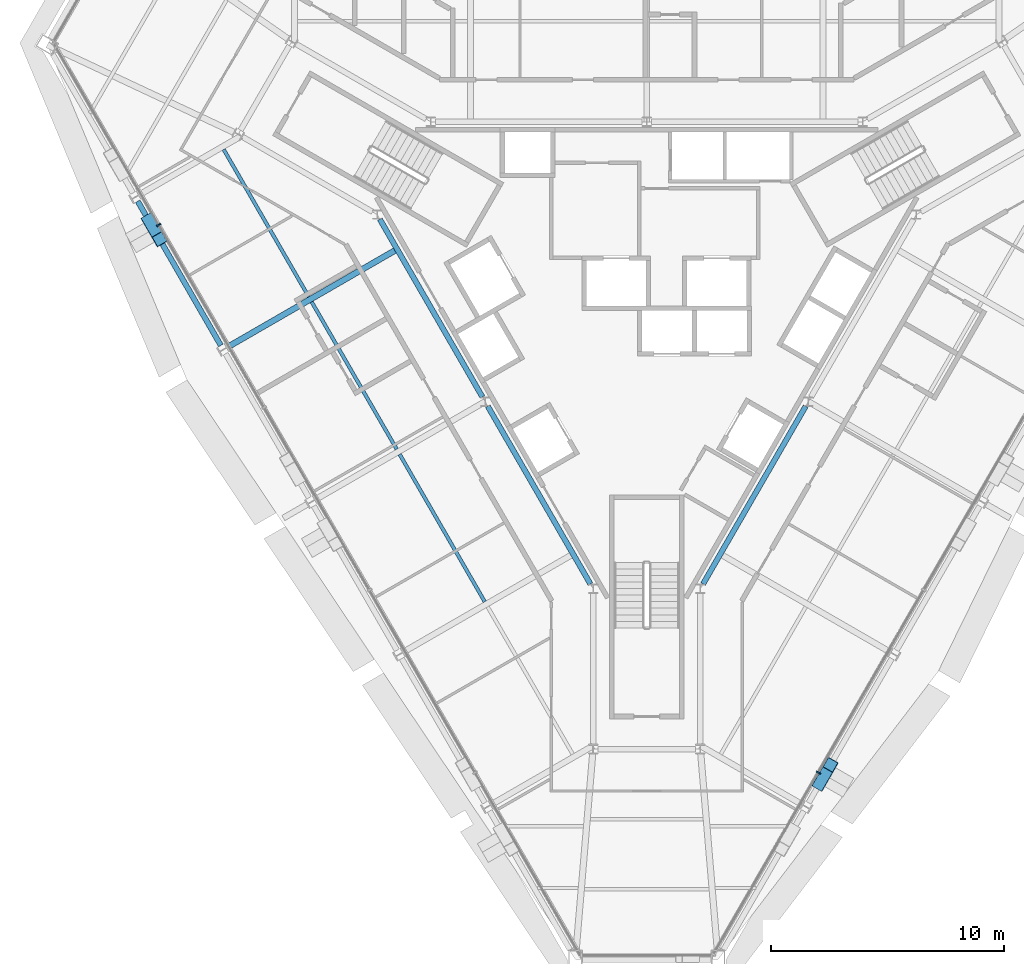
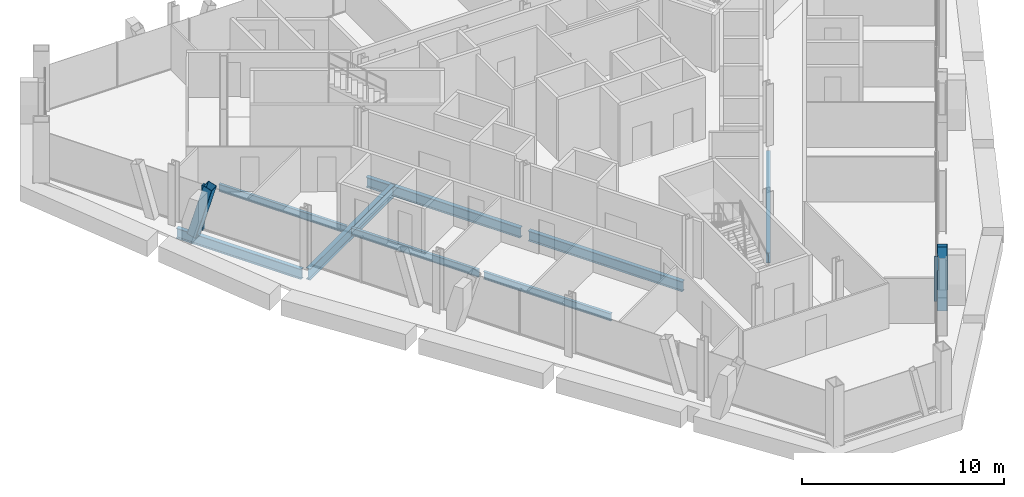
# One storey, part 3 of 13: 8 beams, 4 members, 2 elements without a shape of their own.
"""IFC4 building model written with IfcOpenShell, lengths in metres."""

from ifc_helpers import new_model, si_unit, direction, frame, origin, origin_2d, place, context, subcontext, project, spatial, rectangle, hollow_rectangle, i_section, extrude, material, material_profile, profile_set, type_object, element, aggregate, save


model = new_model("IFC4")

# Units and contexts
model_context = context("Model", 3, precision=1e-05, world=origin(), true_north=direction((0.0, 1.0)))
body_context = subcontext(model_context, "Body", "Model", "MODEL_VIEW")
ifc_project = project(units=[si_unit("LENGTHUNIT", "METRE"), si_unit("AREAUNIT", "SQUARE_METRE"), si_unit("VOLUMEUNIT", "CUBIC_METRE"), si_unit("PLANEANGLEUNIT", "RADIAN"), si_unit("MASSUNIT", "GRAM", prefix="KILO")], contexts=[model_context])

# Site, building, storey
site_placement = place(None, origin())
site = spatial("IfcSite", under=ifc_project, at=site_placement, CompositionType="ELEMENT")
building_placement = place(site_placement, origin())
building = spatial("IfcBuilding", under=site, at=building_placement, Name="Verrane Prism Tower", CompositionType="ELEMENT")
storey_placement = place(building_placement, frame((0.0, 0.0, 152.5)))
storey = spatial("IfcBuildingStorey", under=building, at=storey_placement, Name="L37", CompositionType="ELEMENT", Elevation=152.5)

# Beams
ifc_material_1 = material(Name="Steel A992", Category="steel")
ifc_material_profile_1 = material_profile(ifc_material_1, i_section(OverallWidth=0.23046875, OverallDepth=0.6171875, WebThickness=0.01318359375, FlangeThickness=0.022216796875, FilletRadius=0.012939453125, at=origin_2d()), Name="W24x94")
ifc_profile_set_1 = profile_set([ifc_material_profile_1], Name="Steel A992")
beam_type_1 = type_object("IfcBeamType", Name="Core ring girder W24x94", PredefinedType="BEAM", material=ifc_profile_set_1)
beam_1_placement = place(storey_placement, frame((-11.44482421875, 3.820556640625, -0.55859375), z_axis=(0.499967414725, -0.866044216084, 0.0), x_axis=(0.866044216084, 0.499967414725, 0.0)))
element("IfcBeam", 1, at=beam_1_placement, inside=storey, type_object=beam_type_1, Name="Core ring girder L37", PredefinedType="BEAM", context=body_context, shape_type="SweptSolid", body=[
    extrude(i_section(OverallWidth=0.23046875, OverallDepth=0.6171875, WebThickness=0.01318359375, FlangeThickness=0.022216796875, FilletRadius=0.012939453125, at=origin_2d()), origin(), (0.0, 0.0, 1.0), 8.7998046875),
])
for number, where, z_axis, x_axis, name in (
    (2, (-6.81494140625, -4.199462890625, -0.55859375), (0.499988222896, -0.866032203192, 0.0), (0.866032203192, 0.499988222896, 0.0), "Core ring girder L37"),
    (3, (2.4150390625, -11.820556640625, -0.55859375), (0.499988222896, 0.866032203192, 0.0), (-0.866032203192, 0.499988222896, 0.0), "Core ring girder L37"),
):
    element("IfcBeam", number, at=place(storey_placement, frame(where, z_axis=z_axis, x_axis=x_axis)), inside=storey, type_object=beam_type_1, Name=name, PredefinedType="BEAM", context=body_context, shape_type="SweptSolid", body=[
        extrude(i_section(OverallWidth=0.23046875, OverallDepth=0.6171875, WebThickness=0.01318359375, FlangeThickness=0.022216796875, FilletRadius=0.012939453125, at=origin_2d()), origin(), (0.0, 0.0, 1.0), 8.800048828125),
    ])

# Members
ifc_material_2 = material(Name="Steel A500 Grade C", Category="steel")
ifc_material_profile_2 = material_profile(ifc_material_2, hollow_rectangle(XDim=0.508056640625, YDim=0.508056640625, WallThickness=0.01904296875, InnerFilletRadius=0.009521484375, OuterFilletRadius=0.028564453125, at=origin_2d()), Name="HSS20x20x3/4")
ifc_profile_set_2 = profile_set([ifc_material_profile_2], Name="Steel A500 Grade C")
member_type_1 = type_object("IfcMemberType", Name="Facade brace HSS20x20x3/4", PredefinedType="BRACE", material=ifc_profile_set_2)
for number, where, z_axis, x_axis, name in (
    (4, (-21.354736328125, 3.772216796875, -0.216796875), (0.139768627074, -0.242431836886, 0.960047673478), (0.866333877494, 0.499465326831, 0.0), "Facade brace SW1 L37"),
    (5, (7.415283203125, -20.382080078125, -0.216796875), (0.139768627074, 0.242431836886, 0.960047673478), (-0.866333877494, 0.499465326831, 0.0), "Facade brace SE1 L37"),
):
    element("IfcMember", number, at=place(storey_placement, frame(where, z_axis=z_axis, x_axis=x_axis)), inside=storey, type_object=member_type_1, Name=name, PredefinedType="BRACE", context=body_context, shape_type="SweptSolid", body=[
        extrude(hollow_rectangle(XDim=0.508056640625, YDim=0.508056640625, WallThickness=0.01904296875, InnerFilletRadius=0.009521484375, OuterFilletRadius=0.028564453125, at=origin_2d()), origin(), (0.0, 0.0, 1.0), 3.329345703125),
    ])

# Beams
ifc_material_3 = material(Name="Steel A992", Category="steel")
ifc_material_profile_3 = material_profile(ifc_material_3, i_section(OverallWidth=0.15234375, OverallDepth=0.449462890625, WebThickness=0.007568359375, FlangeThickness=0.0107421875, FilletRadius=0.01025390625, at=origin_2d()), Name="W18x35")
ifc_profile_set_3 = profile_set([ifc_material_profile_3], Name="Steel A992")
beam_type_2 = type_object("IfcBeamType", Name="Floor beam W18x35", PredefinedType="BEAM", material=ifc_profile_set_3)
beam_2_placement = place(storey_placement, frame((-14.493408203125, 0.4951171875, -0.384765625), z_axis=(-0.50001111627, 0.866018985708, 0.0), x_axis=(-0.866018985708, -0.50001111627, 0.0)))
element("IfcBeam", 6, at=beam_2_placement, inside=storey, type_object=beam_type_2, Name="Floor beam L37", PredefinedType="BEAM", context=body_context, shape_type="SweptSolid", body=[
    extrude(i_section(OverallWidth=0.15234375, OverallDepth=0.449462890625, WebThickness=0.007568359375, FlangeThickness=0.0107421875, FilletRadius=0.01025390625, at=origin_2d()), origin(), (0.0, 0.0, 1.0), 7.296630859375),
])
beam_3_placement = place(storey_placement, frame((-10.719970703125, -6.041015625, -0.384765625), z_axis=(-0.499998707891, 0.866026149782, 0.0), x_axis=(-0.866026149782, -0.499998707891, 0.0)))
element("IfcBeam", 7, at=beam_3_placement, inside=storey, type_object=beam_type_2, Name="Floor beam L37", PredefinedType="BEAM", context=body_context, shape_type="SweptSolid", body=[
    extrude(i_section(OverallWidth=0.15234375, OverallDepth=0.449462890625, WebThickness=0.007568359375, FlangeThickness=0.0107421875, FilletRadius=0.01025390625, at=origin_2d()), origin(), (0.0, 0.0, 1.0), 7.29296875),
])
beam_4_placement = place(storey_placement, frame((-6.9462890625, -12.57861328125, -0.384765625), z_axis=(-0.500012159746, 0.866018383238, 0.0), x_axis=(-0.866018383238, -0.500012159746, 0.0)))
element("IfcBeam", 8, at=beam_4_placement, inside=storey, type_object=beam_type_2, Name="Floor beam L37", PredefinedType="BEAM", context=body_context, shape_type="SweptSolid", body=[
    extrude(i_section(OverallWidth=0.15234375, OverallDepth=0.449462890625, WebThickness=0.007568359375, FlangeThickness=0.0107421875, FilletRadius=0.01025390625, at=origin_2d()), origin(), (0.0, 0.0, 1.0), 7.294677734375),
])

# Curtain wall, member
ifc_material_4 = material(Name="Aluminium framed insulated glazing", Category="aluminium")
curtain_wall_type = type_object("IfcCurtainWallType", Name="Curtain wall CW-A 8400 module", PredefinedType="NOTDEFINED", material=ifc_material_4)
curtain_wall_1_placement = place(storey_placement, origin())
curtain_wall_1 = element("IfcCurtainWall", 9, at=curtain_wall_1_placement, inside=storey, type_object=curtain_wall_type, Name="Glazed curtain wall south-west face L37", PredefinedType="NOTDEFINED")
ifc_material_5 = material(Name="Aluminium alloy 6063-T6", Category="aluminium")
ifc_material_profile_4 = material_profile(ifc_material_5, rectangle(XDim=0.199951171875, YDim=0.070068359375, at=origin_2d()), Name="Mullion 70x200 aluminium")
ifc_profile_set_4 = profile_set([ifc_material_profile_4], Name="Aluminium alloy 6063-T6")
member_type_2 = type_object("IfcMemberType", Name="Mullion 70x200 aluminium", PredefinedType="MULLION", material=ifc_profile_set_4)
member_1_placement = place(storey_placement, frame((-20.923095703125, 3.57763671875, 0.0), z_axis=(0.0, 0.0, 1.0), x_axis=(0.866025097191, 0.500000531035, 0.0)))
member_1 = element("IfcMember", 10, at=member_1_placement, type_object=member_type_2, Name="CW36.4 mullion 2", PredefinedType="MULLION", context=body_context, shape_type="SweptSolid", body=[
    extrude(rectangle(XDim=0.199951171875, YDim=0.070068359375, at=origin_2d()), origin(), (0.0, 0.0, 1.0), 2.712890625),
])
aggregate(curtain_wall_1, [member_1])

curtain_wall_2_placement = place(storey_placement, origin())
curtain_wall_2 = element("IfcCurtainWall", 11, at=curtain_wall_2_placement, inside=storey, type_object=curtain_wall_type, Name="Glazed curtain wall south-east face L37", PredefinedType="NOTDEFINED")
member_2_placement = place(storey_placement, frame((7.36328125, -19.90869140625, 0.0), z_axis=(0.0, 0.0, 1.0), x_axis=(-0.866025097191, 0.500000531035, 0.0)))
member_2 = element("IfcMember", 12, at=member_2_placement, type_object=member_type_2, Name="CW36.6 mullion 2", PredefinedType="MULLION", context=body_context, shape_type="SweptSolid", body=[
    extrude(rectangle(XDim=0.199951171875, YDim=0.070068359375, at=origin_2d()), origin(), (0.0, 0.0, 1.0), 2.712890625),
])
aggregate(curtain_wall_2, [member_2])

# Beams
ifc_material_6 = material(Name="Steel A992", Category="steel")
ifc_material_profile_5 = material_profile(ifc_material_6, i_section(OverallWidth=0.25390625, OverallDepth=0.683349609375, WebThickness=0.012451171875, FlangeThickness=0.01904296875, FilletRadius=0.01513671875, at=origin_2d()), Name="W27x94")
ifc_profile_set_5 = profile_set([ifc_material_profile_5], Name="Steel A992")
beam_type_3 = type_object("IfcBeamType", Name="Radial girder W27x94", PredefinedType="BEAM", material=ifc_profile_set_5)
beam_5_placement = place(storey_placement, frame((-17.971923828125, -1.661376953125, -0.5615234375), z_axis=(0.866025742774, 0.499999412853, 0.0), x_axis=(-0.499999412853, 0.866025742774, 0.0)))
element("IfcBeam", 13, at=beam_5_placement, inside=storey, type_object=beam_type_3, Name="Radial girder L37", PredefinedType="BEAM", context=body_context, shape_type="SweptSolid", body=[
    extrude(i_section(OverallWidth=0.25390625, OverallDepth=0.683349609375, WebThickness=0.012451171875, FlangeThickness=0.01904296875, FilletRadius=0.01513671875, at=origin_2d()), origin(), (0.0, 0.0, 1.0), 8.3935546875),
])
ifc_material_7 = material(Name="Steel A992", Category="steel")
ifc_material_profile_6 = material_profile(ifc_material_7, i_section(OverallWidth=0.23046875, OverallDepth=0.6171875, WebThickness=0.01318359375, FlangeThickness=0.022216796875, FilletRadius=0.012939453125, at=origin_2d()), Name="W24x94")
ifc_profile_set_6 = profile_set([ifc_material_profile_6], Name="Steel A992")
beam_type_4 = type_object("IfcBeamType", Name="Spandrel beam W24x94", PredefinedType="SPANDREL", material=ifc_profile_set_6)
beam_6_placement = place(storey_placement, frame((-21.827392578125, 4.591796875, -0.468505859375), z_axis=(0.499432230493, -0.866352957601, 0.0), x_axis=(0.866352957601, 0.499432230493, 0.0)))
element("IfcBeam", 14, at=beam_6_placement, inside=storey, type_object=beam_type_4, Name="Spandrel beam L37", PredefinedType="SPANDREL", context=body_context, shape_type="SweptSolid", body=[
    extrude(i_section(OverallWidth=0.23046875, OverallDepth=0.6171875, WebThickness=0.01318359375, FlangeThickness=0.022216796875, FilletRadius=0.012939453125, at=origin_2d()), origin(), (0.0, 0.0, 1.0), 7.137451171875),
])

save(model, "model.ifc")
